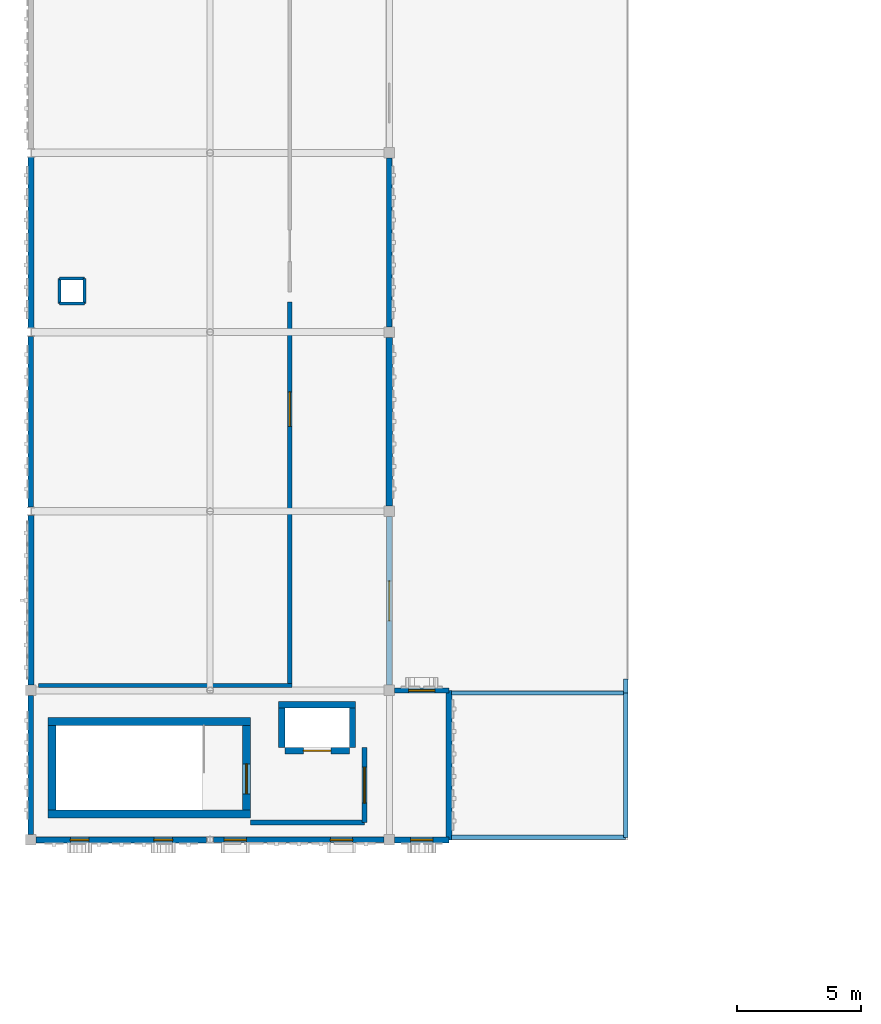
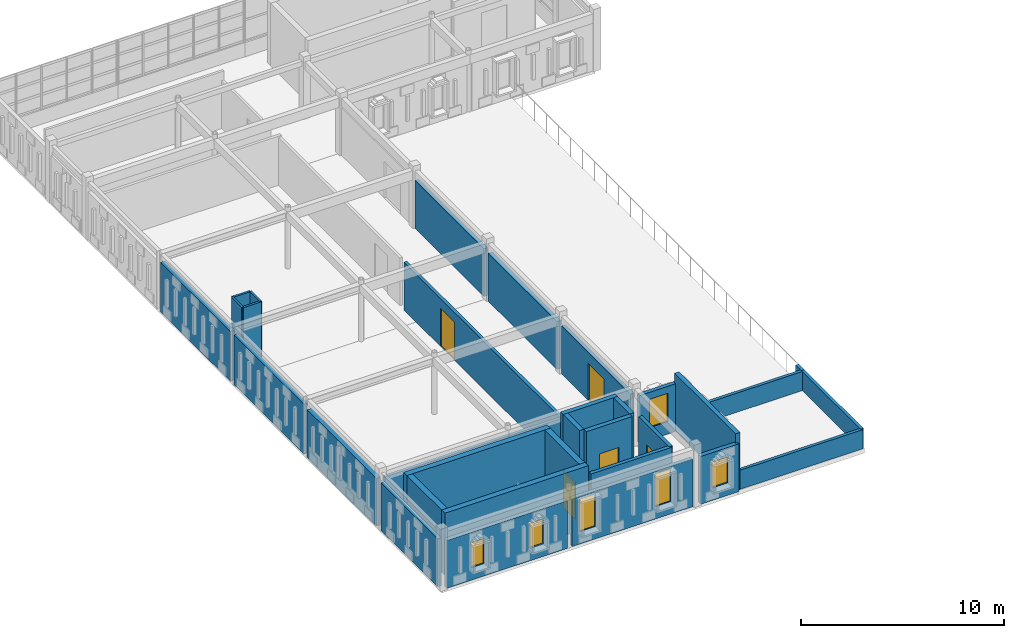
# One storey, part 25 of 46: 32 walls, 6 windows, 5 doors, 11 openings.
"""IFC4 building model written with IfcOpenShell, lengths in metres."""

from ifc_helpers import new_model, si_unit, direction, frame, frame_2d, origin, place, context, subcontext, project, spatial, rectangle, extrude, material, layer, layer_set, type_object, element, fill, save


model = new_model("IFC4")

# Units and contexts
model_context = context("Model", 3, precision=1e-05, world=origin(), true_north=direction((0.0, 1.0)))
body_context = subcontext(model_context, "Body", "Model", "MODEL_VIEW")
ifc_project = project(units=[si_unit("LENGTHUNIT", "METRE"), si_unit("AREAUNIT", "SQUARE_METRE"), si_unit("VOLUMEUNIT", "CUBIC_METRE"), si_unit("PLANEANGLEUNIT", "RADIAN"), si_unit("MASSUNIT", "GRAM", prefix="KILO")], contexts=[model_context])

# Site, building, storey
site_placement = place(None, origin())
site = spatial("IfcSite", under=ifc_project, at=site_placement, CompositionType="ELEMENT")
building_placement = place(site_placement, origin())
building = spatial("IfcBuilding", under=site, at=building_placement, Name="Nzembalo Square Collegiate School", CompositionType="ELEMENT")
storey_placement = place(building_placement, frame((0.0, 0.0, 17.340087890625)))
storey = spatial("IfcBuildingStorey", under=building, at=storey_placement, Name="L04", CompositionType="ELEMENT", Elevation=17.340087890625)

# Walls
ifc_material_1 = material(Name="Concrete C40/50", Category="concrete")
ifc_layer_1 = layer(ifc_material_1, 0.320068359375, Name="Concrete C40/50")
ifc_layer_set_1 = layer_set([ifc_layer_1], Name="Concrete C40/50")
wall_type_1 = type_object("IfcWallType", Name="SW01", PredefinedType="SHEAR", material=ifc_layer_set_1)
wall_1_placement = place(storey_placement, frame((9.239990234375, 45.60009765625, 0.0), z_axis=(0.0, 0.0, 1.0), x_axis=(0.0, 1.0, 0.0)))
element("IfcWall", 1, at=wall_1_placement, inside=storey, type_object=wall_type_1, Name="Core C1 stair shear wall W L04", PredefinedType="SHEAR", context=body_context, shape_type="SweptSolid", body=[
    extrude(rectangle(XDim=3.39990234375, YDim=0.320068359375, at=frame_2d((1.699951171875, 0.0))), origin(), (0.0, 0.0, 1.0), 3.739990234375),
])
for number, where, z_axis, x_axis, name in (
    (2, (9.080078125, 45.43994140625, 0.0), (0.0, 0.0, 1.0), (1.0, 0.0, 0.0), "Core C1 stair shear wall S L04"),
    (3, (9.080078125, 49.159912109375, 0.0), (0.0, 0.0, 1.0), (1.0, 0.0, 0.0), "Core C1 stair shear wall N L04"),
):
    element("IfcWall", number, at=place(storey_placement, frame(where, z_axis=z_axis, x_axis=x_axis)), inside=storey, type_object=wall_type_1, Name=name, PredefinedType="SHEAR", context=body_context, shape_type="SweptSolid", body=[
        extrude(rectangle(XDim=8.139892578125, YDim=0.320068359375, at=frame_2d((4.06982421875, 0.0))), origin(), (0.0, 0.0, 1.0), 3.739990234375),
    ])

# Wall, opening, door
wall_2_placement = place(storey_placement, frame((17.06005859375, 45.60009765625, 0.0), z_axis=(0.0, 0.0, 1.0), x_axis=(0.0, 1.0, 0.0)))
wall_2 = element("IfcWall", 4, at=wall_2_placement, inside=storey, type_object=wall_type_1, Name="Core C1 stair shear wall E L04", PredefinedType="SHEAR", context=body_context, shape_type="SweptSolid", body=[
    extrude(rectangle(XDim=3.39990234375, YDim=0.320068359375, at=frame_2d((1.699951171875, 0.0))), origin(), (0.0, 0.0, 1.0), 3.739990234375),
])
opening_1_placement = place(wall_2_placement, frame((0.64990234375, 0.0, 0.0)))
opening_1 = element("IfcOpeningElement", 5, at=opening_1_placement, cuts=wall_2, Name="Opening FD-011", PredefinedType="OPENING", context=body_context, shape_type="SweptSolid", body=[
    extrude(rectangle(XDim=1.199951171875, YDim=2.199951171875, at=frame_2d((0.60009765625, 1.10009765625))), frame((0.0, 0.169921875, 0.0), z_axis=(0.0, -1.0, 0.0), x_axis=(1.0, 0.0, 0.0)), (0.0, 0.0, 1.0), 0.340087890625),
])
ifc_material_2 = material(Name="Fire-rated steel acoustic door", Category="steel")
door_type_1 = type_object("IfcDoorType", Name="FD01", OperationType="NOTDEFINED", PredefinedType="DOOR", material=ifc_material_2)
door_1_placement = place(opening_1_placement, origin())
door_1 = element("IfcDoor", 6, at=door_1_placement, inside=storey, type_object=door_type_1, Name="Stair fire door FD-011", OperationType="SINGLE_SWING_LEFT", OverallHeight=2.199951171875, OverallWidth=1.199951171875, PredefinedType="DOOR", context=body_context, shape_type="SweptSolid", body=[
    extrude(rectangle(XDim=1.199951171875, YDim=2.199951171875, at=frame_2d((0.60009765625, 1.10009765625))), frame((0.0, 0.02490234375, 0.0), z_axis=(0.0, -1.0, 0.0), x_axis=(1.0, 0.0, 0.0)), (0.0, 0.0, 1.0), 0.050048828125),
])
fill(opening_1, door_1)

# Walls
ifc_material_3 = material(Name="Concrete C35/45", Category="concrete")
ifc_layer_2 = layer(ifc_material_3, 0.25, Name="Concrete C35/45")
ifc_layer_set_2 = layer_set([ifc_layer_2], Name="Concrete C35/45")
wall_type_2 = type_object("IfcWallType", Name="SW05", PredefinedType="SHEAR", material=ifc_layer_set_2)
for number, where, z_axis, x_axis, name in (
    (7, (18.47509765625, 48.10009765625, 0.0), (0.0, 0.0, 1.0), (0.0, 1.0, 0.0), "Lift LF1 shaft wall W L04"),
    (8, (21.324951171875, 48.10009765625, 0.0), (0.0, 0.0, 1.0), (0.0, 1.0, 0.0), "Lift LF1 shaft wall E L04"),
):
    element("IfcWall", number, at=place(storey_placement, frame(where, z_axis=z_axis, x_axis=x_axis)), inside=storey, type_object=wall_type_2, Name=name, PredefinedType="SHEAR", context=body_context, shape_type="SweptSolid", body=[
        extrude(rectangle(XDim=1.599853515625, YDim=0.25, at=frame_2d((0.7998046875, 0.0))), origin(), (0.0, 0.0, 1.0), 3.739990234375),
    ])
wall_3_placement = place(storey_placement, frame((18.35009765625, 49.824951171875, 0.0), z_axis=(0.0, 0.0, 1.0), x_axis=(1.0, 0.0, 0.0)))
element("IfcWall", 9, at=wall_3_placement, inside=storey, type_object=wall_type_2, Name="Lift LF1 shaft wall N L04", PredefinedType="SHEAR", context=body_context, shape_type="SweptSolid", body=[
    extrude(rectangle(XDim=3.099853515625, YDim=0.25, at=frame_2d((1.5498046875, 0.0))), origin(), (0.0, 0.0, 1.0), 3.739990234375),
])

# Wall, opening, door
wall_4_placement = place(storey_placement, frame((18.60009765625, 47.97509765625, 0.0), z_axis=(0.0, 0.0, 1.0), x_axis=(1.0, 0.0, 0.0)))
wall_4 = element("IfcWall", 10, at=wall_4_placement, inside=storey, type_object=wall_type_2, Name="Lift LF1 landing front wall L04", PredefinedType="SHEAR", context=body_context, shape_type="SweptSolid", body=[
    extrude(rectangle(XDim=2.599853515625, YDim=0.25, at=frame_2d((1.2998046875, 0.0))), origin(), (0.0, 0.0, 1.0), 3.739990234375),
])
opening_2_placement = place(wall_4_placement, frame((0.75, 0.0, 0.0)))
opening_2 = element("IfcOpeningElement", 11, at=opening_2_placement, cuts=wall_4, Name="Opening LD-LF1-L04", PredefinedType="OPENING", context=body_context, shape_type="SweptSolid", body=[
    extrude(rectangle(XDim=1.10009765625, YDim=2.14990234375, at=frame_2d((0.550048828125, 1.074951171875))), frame((0.0, 0.135009765625, 0.0), z_axis=(0.0, -1.0, 0.0), x_axis=(1.0, 0.0, 0.0)), (0.0, 0.0, 1.0), 0.27001953125),
])
ifc_material_4 = material(Name="Stainless-steel sliding landing door", Category="steel")
door_type_2 = type_object("IfcDoorType", Name="LD01", OperationType="DOUBLE_DOOR_SLIDING", PredefinedType="DOOR", material=ifc_material_4)
door_2_placement = place(opening_2_placement, origin())
door_2 = element("IfcDoor", 12, at=door_2_placement, inside=storey, type_object=door_type_2, Name="Sliding lift landing door LD-LF1-L04", OperationType="DOUBLE_DOOR_SLIDING", OverallHeight=2.14990234375, OverallWidth=1.10009765625, PredefinedType="DOOR", context=body_context, shape_type="SweptSolid", body=[
    extrude(rectangle(XDim=1.10009765625, YDim=2.14990234375, at=frame_2d((0.550048828125, 1.074951171875))), frame((0.0, 0.02490234375, 0.0), z_axis=(0.0, -1.0, 0.0), x_axis=(1.0, 0.0, 0.0)), (0.0, 0.0, 1.0), 0.050048828125),
])
fill(opening_2, door_2)

# Wall, openings, windows
ifc_material_5 = material(Name="CLT CL24", Category="wood")
ifc_layer_3 = layer(ifc_material_5, 0.2451171875, Name="CLT CL24")
ifc_layer_set_3 = layer_set([ifc_layer_3], Name="CLT CL24")
wall_type_3 = type_object("IfcWallType", Name="W07", PredefinedType="SOLIDWALL", material=ifc_layer_set_3)
wall_5_placement = place(storey_placement, frame((8.612060546875, 44.39990234375, 0.0), z_axis=(0.0, 0.0, 1.0), x_axis=(1.0, 0.0, 0.0)))
wall_5 = element("IfcWall", 13, at=wall_5_placement, inside=storey, type_object=wall_type_3, Name="Exterior wall W07 L04", PredefinedType="SOLIDWALL", context=body_context, shape_type="SweptSolid", body=[
    extrude(rectangle(XDim=6.849365234375, YDim=0.2451171875, at=frame_2d((3.4248046875, 0.0))), origin(), (0.0, 0.0, 1.0), 2.868896484375),
])
opening_3_placement = place(wall_5_placement, frame((1.369873046875, 0.0, 0.75)))
opening_3 = element("IfcOpeningElement", 14, at=opening_3_placement, cuts=wall_5, Name="Opening WN-L04-966", PredefinedType="OPENING", context=body_context, shape_type="SweptSolid", body=[
    extrude(rectangle(XDim=0.75, YDim=1.5, at=frame_2d((0.375, 0.75))), frame((0.0, 0.132568359375, 0.0), z_axis=(0.0, -1.0, 0.0), x_axis=(1.0, 0.0, 0.0)), (0.0, 0.0, 1.0), 0.26513671875),
])
opening_4_placement = place(wall_5_placement, frame((4.7294921875, 0.0, 0.75)))
opening_4 = element("IfcOpeningElement", 15, at=opening_4_placement, cuts=wall_5, Name="Opening WN-L04-967", PredefinedType="OPENING", context=body_context, shape_type="SweptSolid", body=[
    extrude(rectangle(XDim=0.75, YDim=1.5, at=frame_2d((0.375, 0.75))), frame((0.0, 0.132568359375, 0.0), z_axis=(0.0, -1.0, 0.0), x_axis=(1.0, 0.0, 0.0)), (0.0, 0.0, 1.0), 0.26513671875),
])
ifc_material_6 = material(Name="Powder-coated aluminium and low-E double glazing", Category="aluminium")
window_type_1 = type_object("IfcWindowType", Name="WN05", PartitioningType="SINGLE_PANEL", PredefinedType="WINDOW", material=ifc_material_6)
window_1_placement = place(opening_3_placement, origin())
window_1 = element("IfcWindow", 16, at=window_1_placement, inside=storey, type_object=window_type_1, Name="Lancet window WN-L04-966", OverallHeight=1.5, OverallWidth=0.75, PartitioningType="SINGLE_PANEL", PredefinedType="WINDOW", context=body_context, shape_type="SweptSolid", body=[
    extrude(rectangle(XDim=0.75, YDim=1.5, at=frame_2d((0.375, 0.75))), frame((0.0, 0.030029296875, 0.0), z_axis=(0.0, -1.0, 0.0), x_axis=(1.0, 0.0, 0.0)), (0.0, 0.0, 1.0), 0.06005859375),
])
fill(opening_3, window_1)
window_2_placement = place(opening_4_placement, origin())
window_2 = element("IfcWindow", 17, at=window_2_placement, inside=storey, type_object=window_type_1, Name="Lancet window WN-L04-967", OverallHeight=1.5, OverallWidth=0.75, PartitioningType="SINGLE_PANEL", PredefinedType="WINDOW", context=body_context, shape_type="SweptSolid", body=[
    extrude(rectangle(XDim=0.75, YDim=1.5, at=frame_2d((0.375, 0.75))), frame((0.0, 0.030029296875, 0.0), z_axis=(0.0, -1.0, 0.0), x_axis=(1.0, 0.0, 0.0)), (0.0, 0.0, 1.0), 0.06005859375),
])
fill(opening_4, window_2)

# Wall, opening, window
wall_6_placement = place(storey_placement, frame((23.011962890625, 44.39990234375, 0.0), z_axis=(0.0, 0.0, 1.0), x_axis=(1.0, 0.0, 0.0)))
wall_6 = element("IfcWall", 18, at=wall_6_placement, inside=storey, type_object=wall_type_3, Name="Exterior wall W07 L04", PredefinedType="SOLIDWALL", context=body_context, shape_type="SweptSolid", body=[
    extrude(rectangle(XDim=2.18798828125, YDim=0.2451171875, at=frame_2d((1.093994140625, 0.0))), origin(), (0.0, 0.0, 1.0), 2.868896484375),
])
opening_5_placement = place(wall_6_placement, frame((0.64404296875, 0.0, 0.75)))
opening_5 = element("IfcOpeningElement", 19, at=opening_5_placement, cuts=wall_6, Name="Opening WN-L04-971", PredefinedType="OPENING", context=body_context, shape_type="SweptSolid", body=[
    extrude(rectangle(XDim=0.89990234375, YDim=1.550048828125, at=frame_2d((0.449951171875, 0.77490234375))), frame((0.0, 0.132568359375, 0.0), z_axis=(0.0, -1.0, 0.0), x_axis=(1.0, 0.0, 0.0)), (0.0, 0.0, 1.0), 0.26513671875),
])
ifc_material_7 = material(Name="Powder-coated aluminium and low-E double glazing", Category="aluminium")
window_type_2 = type_object("IfcWindowType", Name="WN10", PartitioningType="SINGLE_PANEL", PredefinedType="WINDOW", material=ifc_material_7)
window_3_placement = place(opening_5_placement, origin())
window_3 = element("IfcWindow", 20, at=window_3_placement, inside=storey, type_object=window_type_2, Name="Lancet window WN-L04-971", OverallHeight=1.550048828125, OverallWidth=0.89990234375, PartitioningType="SINGLE_PANEL", PredefinedType="WINDOW", context=body_context, shape_type="SweptSolid", body=[
    extrude(rectangle(XDim=0.89990234375, YDim=1.550048828125, at=frame_2d((0.449951171875, 0.77490234375))), frame((0.0, 0.030029296875, 0.0), z_axis=(0.0, -1.0, 0.0), x_axis=(1.0, 0.0, 0.0)), (0.0, 0.0, 1.0), 0.06005859375),
])
fill(opening_5, window_3)

# Walls
wall_7_placement = place(storey_placement, frame((8.39990234375, 50.612060546875, 0.0), z_axis=(0.0, 0.0, 1.0), x_axis=(0.0, 1.0, 0.0)))
element("IfcWall", 21, at=wall_7_placement, inside=storey, type_object=wall_type_3, Name="Exterior wall W07 L04", PredefinedType="SOLIDWALL", context=body_context, shape_type="SweptSolid", body=[
    extrude(rectangle(XDim=6.81591796875, YDim=0.2451171875, at=frame_2d((3.407958984375, 0.0))), origin(), (0.0, 0.0, 1.0), 2.868896484375),
])
wall_8_placement = place(storey_placement, frame((8.39990234375, 64.971923828125, 0.0), z_axis=(0.0, 0.0, 1.0), x_axis=(0.0, 1.0, 0.0)))
element("IfcWall", 22, at=wall_8_placement, inside=storey, type_object=wall_type_3, Name="Exterior wall W07 L04", PredefinedType="SOLIDWALL", context=body_context, shape_type="SweptSolid", body=[
    extrude(rectangle(XDim=6.85595703125, YDim=0.2451171875, at=frame_2d((3.427978515625, 0.0))), origin(), (0.0, 0.0, 1.0), 2.97900390625),
])
wall_9_placement = place(storey_placement, frame((22.800048828125, 57.81201171875, 0.0), z_axis=(0.0, 0.0, 1.0), x_axis=(0.0, 1.0, 0.0)))
element("IfcWall", 23, at=wall_9_placement, inside=storey, type_object=wall_type_3, Name="Exterior wall W07 L04", PredefinedType="SOLIDWALL", context=body_context, shape_type="SweptSolid", body=[
    extrude(rectangle(XDim=6.77587890625, YDim=0.2451171875, at=frame_2d((3.387939453125, 0.0))), origin(), (0.0, 0.0, 1.0), 2.868896484375),
])
wall_10_placement = place(storey_placement, frame((25.199951171875, 44.39990234375, 0.0), z_axis=(0.0, 0.0, 1.0), x_axis=(0.0, 1.0, 0.0)))
element("IfcWall", 24, at=wall_10_placement, inside=storey, type_object=wall_type_3, Name="Exterior wall W07 L04", PredefinedType="SOLIDWALL", context=body_context, shape_type="SweptSolid", body=[
    extrude(rectangle(XDim=6.0, YDim=0.2451171875, at=frame_2d((3.0, 0.0))), origin(), (0.0, 0.0, 1.0), 3.433837890625),
])

# Wall, openings, windows
ifc_material_8 = material(Name="CLT CL24", Category="wood")
ifc_layer_4 = layer(ifc_material_8, 0.215087890625, Name="CLT CL24")
ifc_layer_set_4 = layer_set([ifc_layer_4], Name="CLT CL24")
wall_type_4 = type_object("IfcWallType", Name="W08", PredefinedType="SOLIDWALL", material=ifc_layer_set_4)
wall_11_placement = place(storey_placement, frame((15.738525390625, 44.39990234375, 0.0), z_axis=(0.0, 0.0, 1.0), x_axis=(1.0, 0.0, 0.0)))
wall_11 = element("IfcWall", 25, at=wall_11_placement, inside=storey, type_object=wall_type_4, Name="Exterior wall W08 L04", PredefinedType="SOLIDWALL", context=body_context, shape_type="SweptSolid", body=[
    extrude(rectangle(XDim=6.849365234375, YDim=0.215087890625, at=frame_2d((3.4248046875, 0.0))), origin(), (0.0, 0.0, 1.0), 2.868896484375),
])
opening_6_placement = place(wall_11_placement, frame((0.42138671875, 0.0, 0.75)))
opening_6 = element("IfcOpeningElement", 26, at=opening_6_placement, cuts=wall_11, Name="Opening WN-L04-969", PredefinedType="OPENING", context=body_context, shape_type="SweptSolid", body=[
    extrude(rectangle(XDim=0.89990234375, YDim=1.949951171875, at=frame_2d((0.449951171875, 0.97509765625))), frame((0.0, 0.11767578125, 0.0), z_axis=(0.0, -1.0, 0.0), x_axis=(1.0, 0.0, 0.0)), (0.0, 0.0, 1.0), 0.235107421875),
])
opening_7_placement = place(wall_11_placement, frame((4.692138671875, 0.0, 0.75)))
opening_7 = element("IfcOpeningElement", 27, at=opening_7_placement, cuts=wall_11, Name="Opening WN-L04-970", PredefinedType="OPENING", context=body_context, shape_type="SweptSolid", body=[
    extrude(rectangle(XDim=0.89990234375, YDim=1.949951171875, at=frame_2d((0.449951171875, 0.97509765625))), frame((0.0, 0.11767578125, 0.0), z_axis=(0.0, -1.0, 0.0), x_axis=(1.0, 0.0, 0.0)), (0.0, 0.0, 1.0), 0.235107421875),
])
ifc_material_9 = material(Name="Powder-coated aluminium and low-E double glazing", Category="aluminium")
window_type_3 = type_object("IfcWindowType", Name="WN08", PartitioningType="SINGLE_PANEL", PredefinedType="WINDOW", material=ifc_material_9)
window_4_placement = place(opening_6_placement, origin())
window_4 = element("IfcWindow", 28, at=window_4_placement, inside=storey, type_object=window_type_3, Name="Lancet window WN-L04-969", OverallHeight=1.949951171875, OverallWidth=0.89990234375, PartitioningType="SINGLE_PANEL", PredefinedType="WINDOW", context=body_context, shape_type="SweptSolid", body=[
    extrude(rectangle(XDim=0.89990234375, YDim=1.949951171875, at=frame_2d((0.449951171875, 0.97509765625))), frame((0.0, 0.030029296875, 0.0), z_axis=(0.0, -1.0, 0.0), x_axis=(1.0, 0.0, 0.0)), (0.0, 0.0, 1.0), 0.06005859375),
])
fill(opening_6, window_4)
window_5_placement = place(opening_7_placement, origin())
window_5 = element("IfcWindow", 29, at=window_5_placement, inside=storey, type_object=window_type_3, Name="Lancet window WN-L04-970", OverallHeight=1.949951171875, OverallWidth=0.89990234375, PartitioningType="SINGLE_PANEL", PredefinedType="WINDOW", context=body_context, shape_type="SweptSolid", body=[
    extrude(rectangle(XDim=0.89990234375, YDim=1.949951171875, at=frame_2d((0.449951171875, 0.97509765625))), frame((0.0, 0.030029296875, 0.0), z_axis=(0.0, -1.0, 0.0), x_axis=(1.0, 0.0, 0.0)), (0.0, 0.0, 1.0), 0.06005859375),
])
fill(opening_7, window_5)

# Walls
wall_12_placement = place(storey_placement, frame((8.39990234375, 44.612060546875, 0.0), z_axis=(0.0, 0.0, 1.0), x_axis=(0.0, 1.0, 0.0)))
element("IfcWall", 30, at=wall_12_placement, inside=storey, type_object=wall_type_4, Name="Exterior wall W08 L04", PredefinedType="SOLIDWALL", context=body_context, shape_type="SweptSolid", body=[
    extrude(rectangle(XDim=5.575927734375, YDim=0.215087890625, at=frame_2d((2.7880859375, 0.0))), origin(), (0.0, 0.0, 1.0), 2.868896484375),
])
wall_13_placement = place(storey_placement, frame((8.39990234375, 57.77197265625, 0.0), z_axis=(0.0, 0.0, 1.0), x_axis=(0.0, 1.0, 0.0)))
element("IfcWall", 31, at=wall_13_placement, inside=storey, type_object=wall_type_4, Name="Exterior wall W08 L04", PredefinedType="SOLIDWALL", context=body_context, shape_type="SweptSolid", body=[
    extrude(rectangle(XDim=6.85595703125, YDim=0.215087890625, at=frame_2d((3.427978515625, 0.0))), origin(), (0.0, 0.0, 1.0), 2.97900390625),
])

# Wall, opening, door
wall_14_placement = place(storey_placement, frame((22.800048828125, 50.612060546875, 0.0), z_axis=(0.0, 0.0, 1.0), x_axis=(0.0, 1.0, 0.0)))
wall_14 = element("IfcWall", 32, at=wall_14_placement, inside=storey, type_object=wall_type_4, Name="Exterior wall W08 L04", PredefinedType="SOLIDWALL", context=body_context, shape_type="SweptSolid", body=[
    extrude(rectangle(XDim=6.77587890625, YDim=0.215087890625, at=frame_2d((3.387939453125, 0.0))), origin(), (0.0, 0.0, 1.0), 2.868896484375),
])
opening_8_placement = place(wall_14_placement, frame((2.587890625, 0.0, 0.0)))
opening_8 = element("IfcOpeningElement", 33, at=opening_8_placement, cuts=wall_14, Name="Opening TD-401", PredefinedType="OPENING", context=body_context, shape_type="SweptSolid", body=[
    extrude(rectangle(XDim=1.60009765625, YDim=2.199951171875, at=frame_2d((0.800048828125, 1.10009765625))), frame((0.0, 0.11767578125, 0.0), z_axis=(0.0, -1.0, 0.0), x_axis=(1.0, 0.0, 0.0)), (0.0, 0.0, 1.0), 0.235107421875),
])
ifc_material_10 = material(Name="Powder-coated steel and safety glass", Category="steel")
door_type_3 = type_object("IfcDoorType", Name="TD01", OperationType="DOUBLE_DOOR_SINGLE_SWING", PredefinedType="DOOR", material=ifc_material_10)
door_3_placement = place(opening_8_placement, frame((1.60009765625, 0.0, 0.0), z_axis=(0.0, 0.0, 1.0), x_axis=(-1.0, 0.0, 0.0)))
door_3 = element("IfcDoor", 34, at=door_3_placement, inside=storey, type_object=door_type_3, Name="Exterior door TD-401", OperationType="DOUBLE_DOOR_SINGLE_SWING", OverallHeight=2.199951171875, OverallWidth=1.60009765625, PredefinedType="DOOR", context=body_context, shape_type="SweptSolid", body=[
    extrude(rectangle(XDim=1.60009765625, YDim=2.199951171875, at=frame_2d((0.800048828125, 1.10009765625))), frame((0.0, 0.02490234375, 0.0), z_axis=(0.0, -1.0, 0.0), x_axis=(1.0, 0.0, 0.0)), (0.0, 0.0, 1.0), 0.050048828125),
])
fill(opening_8, door_3)

# Wall
wall_15_placement = place(storey_placement, frame((22.800048828125, 65.011962890625, 0.0), z_axis=(0.0, 0.0, 1.0), x_axis=(0.0, 1.0, 0.0)))
element("IfcWall", 35, at=wall_15_placement, inside=storey, type_object=wall_type_4, Name="Exterior wall W08 L04", PredefinedType="SOLIDWALL", context=body_context, shape_type="SweptSolid", body=[
    extrude(rectangle(XDim=6.776123046875, YDim=0.215087890625, at=frame_2d((3.38818359375, 0.0))), origin(), (0.0, 0.0, 1.0), 2.868896484375),
])

# Wall, opening, window
wall_16_placement = place(storey_placement, frame((23.011962890625, 50.39990234375, 0.0), z_axis=(0.0, 0.0, 1.0), x_axis=(1.0, 0.0, 0.0)))
wall_16 = element("IfcWall", 36, at=wall_16_placement, inside=storey, type_object=wall_type_4, Name="Exterior wall W08 L04", PredefinedType="SOLIDWALL", context=body_context, shape_type="SweptSolid", body=[
    extrude(rectangle(XDim=2.18798828125, YDim=0.215087890625, at=frame_2d((1.093994140625, 0.0))), origin(), (0.0, 0.0, 1.0), 2.868896484375),
])
opening_9_placement = place(wall_16_placement, frame((0.569091796875, 0.0, 0.75)))
opening_9 = element("IfcOpeningElement", 37, at=opening_9_placement, cuts=wall_16, Name="Opening WN-L04-1049", PredefinedType="OPENING", context=body_context, shape_type="SweptSolid", body=[
    extrude(rectangle(XDim=1.050048828125, YDim=1.699951171875, at=frame_2d((0.52490234375, 0.85009765625))), frame((0.0, 0.11767578125, 0.0), z_axis=(0.0, -1.0, 0.0), x_axis=(1.0, 0.0, 0.0)), (0.0, 0.0, 1.0), 0.235107421875),
])
ifc_material_11 = material(Name="Powder-coated aluminium and low-E double glazing", Category="aluminium")
window_type_4 = type_object("IfcWindowType", Name="WN14", PartitioningType="SINGLE_PANEL", PredefinedType="WINDOW", material=ifc_material_11)
window_6_placement = place(opening_9_placement, origin())
window_6 = element("IfcWindow", 38, at=window_6_placement, inside=storey, type_object=window_type_4, Name="Lancet window WN-L04-1049", OverallHeight=1.699951171875, OverallWidth=1.050048828125, PartitioningType="SINGLE_PANEL", PredefinedType="WINDOW", context=body_context, shape_type="SweptSolid", body=[
    extrude(rectangle(XDim=1.050048828125, YDim=1.699951171875, at=frame_2d((0.52490234375, 0.85009765625))), frame((0.0, 0.030029296875, 0.0), z_axis=(0.0, -1.0, 0.0), x_axis=(1.0, 0.0, 0.0)), (0.0, 0.0, 1.0), 0.06005859375),
])
fill(opening_9, window_6)

# Wall, opening, door
ifc_material_12 = material(Name="Concrete blockwork C25/30", Category="masonry")
ifc_layer_5 = layer(ifc_material_12, 0.199951171875, Name="Concrete blockwork C25/30")
ifc_layer_set_5 = layer_set([ifc_layer_5], Name="Concrete blockwork C25/30")
wall_type_5 = type_object("IfcWallType", Name="W11", PredefinedType="PARTITIONING", material=ifc_layer_set_5)
wall_17_placement = place(storey_placement, frame((21.800048828125, 45.10009765625, 0.0), z_axis=(0.0, 0.0, 1.0), x_axis=(0.0, 1.0, 0.0)))
wall_17 = element("IfcWall", 39, at=wall_17_placement, inside=storey, type_object=wall_type_5, Name="Core C1 EI 60 lobby wall E L04", PredefinedType="PARTITIONING", context=body_context, shape_type="SweptSolid", body=[
    extrude(rectangle(XDim=3.0, YDim=0.199951171875, at=frame_2d((1.5, 0.0))), origin(), (0.0, 0.0, 1.0), 3.413818359375),
])
opening_10_placement = place(wall_17_placement, frame((0.77490234375, 0.0, 0.0)))
opening_10 = element("IfcOpeningElement", 40, at=opening_10_placement, cuts=wall_17, Name="Opening FD-012", PredefinedType="OPENING", context=body_context, shape_type="SweptSolid", body=[
    extrude(rectangle(XDim=1.449951171875, YDim=2.199951171875, at=frame_2d((0.72509765625, 1.10009765625))), frame((0.0, 0.10986328125, 0.0), z_axis=(0.0, -1.0, 0.0), x_axis=(1.0, 0.0, 0.0)), (0.0, 0.0, 1.0), 0.219970703125),
])
ifc_material_13 = material(Name="Fire-rated double lobby door")
door_type_4 = type_object("IfcDoorType", Name="FD02", OperationType="DOUBLE_DOOR_SINGLE_SWING", PredefinedType="DOOR", material=ifc_material_13)
door_4_placement = place(opening_10_placement, frame((1.449951171875, 0.0, 0.0), z_axis=(0.0, 0.0, 1.0), x_axis=(-1.0, 0.0, 0.0)))
door_4 = element("IfcDoor", 41, at=door_4_placement, inside=storey, type_object=door_type_4, Name="Protected lobby fire door FD-012", OperationType="DOUBLE_DOOR_SINGLE_SWING", OverallHeight=2.199951171875, OverallWidth=1.449951171875, PredefinedType="DOOR", context=body_context, shape_type="SweptSolid", body=[
    extrude(rectangle(XDim=1.449951171875, YDim=2.199951171875, at=frame_2d((0.72509765625, 1.10009765625))), frame((0.0, 0.02490234375, 0.0), z_axis=(0.0, -1.0, 0.0), x_axis=(1.0, 0.0, 0.0)), (0.0, 0.0, 1.0), 0.050048828125),
])
fill(opening_10, door_4)

# Walls
wall_18_placement = place(storey_placement, frame((17.219970703125, 45.10009765625, 0.0), z_axis=(0.0, 0.0, 1.0), x_axis=(1.0, 0.0, 0.0)))
element("IfcWall", 42, at=wall_18_placement, inside=storey, type_object=wall_type_5, Name="Core C1 EI 60 lobby wall S L04", PredefinedType="PARTITIONING", context=body_context, shape_type="SweptSolid", body=[
    extrude(rectangle(XDim=4.580078125, YDim=0.199951171875, at=frame_2d((2.2900390625, 0.0))), origin(), (0.0, 0.0, 1.0), 3.413818359375),
])
ifc_material_14 = material(Name="Acoustic gypsum and steel stud", Category="steel")
ifc_layer_6 = layer(ifc_material_14, 0.175048828125, Name="Acoustic gypsum and steel stud")
ifc_layer_set_6 = layer_set([ifc_layer_6], Name="Acoustic gypsum and steel stud")
wall_type_6 = type_object("IfcWallType", Name="W14", PredefinedType="PARTITIONING", material=ifc_layer_set_6)
wall_19_placement = place(storey_placement, frame((8.71240234375, 50.60009765625, 0.0), z_axis=(0.0, 0.0, 1.0), x_axis=(1.0, 0.0, 0.0)))
element("IfcWall", 43, at=wall_19_placement, inside=storey, type_object=wall_type_6, Name="Interior partition W14 L04-017-S", PredefinedType="PARTITIONING", context=body_context, shape_type="SweptSolid", body=[
    extrude(rectangle(XDim=10.175048828125, YDim=0.175048828125, at=frame_2d((5.08740234375, 0.0))), origin(), (0.0, 0.0, 1.0), 2.868896484375),
])

# Wall, opening, door
wall_20_placement = place(storey_placement, frame((18.800048828125, 50.60009765625, 0.0), z_axis=(0.0, 0.0, 1.0), x_axis=(0.0, 1.0, 0.0)))
wall_20 = element("IfcWall", 44, at=wall_20_placement, inside=storey, type_object=wall_type_6, Name="Interior partition W14 L04-017-E", PredefinedType="PARTITIONING", context=body_context, shape_type="SweptSolid", body=[
    extrude(rectangle(XDim=15.39990234375, YDim=0.175048828125, at=frame_2d((7.699951171875, 0.0))), origin(), (0.0, 0.0, 1.0), 2.868896484375),
])
opening_11_placement = place(wall_20_placement, frame((10.4150390625, 0.0, 0.0)))
opening_11 = element("IfcOpeningElement", 45, at=opening_11_placement, cuts=wall_20, Name="Opening D-L04-094", PredefinedType="OPENING", context=body_context, shape_type="SweptSolid", body=[
    extrude(rectangle(XDim=1.3798828125, YDim=2.280029296875, at=frame_2d((0.68994140625, 1.14013671875))), frame((0.0, 0.09765625, 0.0), z_axis=(0.0, -1.0, 0.0), x_axis=(1.0, 0.0, 0.0)), (0.0, 0.0, 1.0), 0.195068359375),
])
ifc_material_15 = material(Name="Wide art studio double door")
door_type_5 = type_object("IfcDoorType", Name="D21", OperationType="DOUBLE_DOOR_SINGLE_SWING", PredefinedType="DOOR", material=ifc_material_15)
door_5_placement = place(opening_11_placement, origin())
door_5 = element("IfcDoor", 46, at=door_5_placement, inside=storey, type_object=door_type_5, Name="Interior door D-L04-094 (Fine Art and Sculpture Daylight Studio)", OperationType="DOUBLE_DOOR_SINGLE_SWING", OverallHeight=2.280029296875, OverallWidth=1.3798828125, PredefinedType="DOOR", context=body_context, shape_type="SweptSolid", body=[
    extrude(rectangle(XDim=1.3798828125, YDim=2.280029296875, at=frame_2d((0.68994140625, 1.14013671875))), frame((0.0, 0.02490234375, 0.0), z_axis=(0.0, -1.0, 0.0), x_axis=(1.0, 0.0, 0.0)), (0.0, 0.0, 1.0), 0.050048828125),
])
fill(opening_11, door_5)

# Walls
ifc_material_16 = material(Name="Fire-rated shaftwall stud")
ifc_layer_7 = layer(ifc_material_16, 0.1201171875, Name="Fire-rated shaftwall stud")
ifc_layer_set_7 = layer_set([ifc_layer_7], Name="Fire-rated shaftwall stud")
wall_type_7 = type_object("IfcWallType", Name="W23", PredefinedType="PARTITIONING", material=ifc_layer_set_7)
for number, where, z_axis, x_axis, name in (
    (47, (9.5400390625, 65.93994140625, 0.0), (0.0, 0.0, 1.0), (1.0, 0.0, 0.0), "Service riser shaftwall W23-022-1"),
    (48, (10.56005859375, 65.93994140625, 0.0), (0.0, 0.0, 1.0), (0.0, 1.0, 0.0), "Service riser shaftwall W23-022-2"),
    (49, (10.56005859375, 66.9599609375, 0.0), (0.0, 0.0, 1.0), (-1.0, 0.0, 0.0), "Service riser shaftwall W23-022-3"),
    (50, (9.5400390625, 66.9599609375, 0.0), (0.0, 0.0, 1.0), (0.0, -1.0, 0.0), "Service riser shaftwall W23-022-4"),
):
    element("IfcWall", number, at=place(storey_placement, frame(where, z_axis=z_axis, x_axis=x_axis)), inside=storey, type_object=wall_type_7, Name=name, PredefinedType="PARTITIONING", context=body_context, shape_type="SweptSolid", body=[
        extrude(rectangle(XDim=1.02001953125, YDim=0.1201171875, at=frame_2d((0.510009765625, 0.0))), origin(), (0.0, 0.0, 1.0), 3.413818359375),
    ])
ifc_material_17 = material(Name="Concrete C30/37", Category="concrete")
ifc_layer_8 = layer(ifc_material_17, 0.169921875, Name="Concrete C30/37")
ifc_layer_set_8 = layer_set([ifc_layer_8], Name="Concrete C30/37")
wall_type_8 = type_object("IfcWallType", Name="WP03", PredefinedType="PARAPET", material=ifc_layer_set_8)
wall_21_placement = place(storey_placement, frame((25.300048828125, 44.5, 0.0), z_axis=(0.0, 0.0, 1.0), x_axis=(1.0, 0.0, 0.0)))
element("IfcWall", 51, at=wall_21_placement, inside=storey, type_object=wall_type_8, Name="Roof parapet WP03-22", PredefinedType="PARAPET", context=body_context, shape_type="SweptSolid", body=[
    extrude(rectangle(XDim=7.0, YDim=0.169921875, at=frame_2d((3.5, 0.0))), origin(), (0.0, 0.0, 1.0), 1.14990234375),
])
wall_22_placement = place(storey_placement, frame((32.300048828125, 44.5, 0.0), z_axis=(0.0, 0.0, 1.0), x_axis=(0.0, 1.0, 0.0)))
element("IfcWall", 52, at=wall_22_placement, inside=storey, type_object=wall_type_8, Name="Roof parapet WP03-23", PredefinedType="PARAPET", context=body_context, shape_type="SweptSolid", body=[
    extrude(rectangle(XDim=5.800048828125, YDim=0.169921875, at=frame_2d((2.89990234375, 0.0))), origin(), (0.0, 0.0, 1.0), 1.14990234375),
])
wall_23_placement = place(storey_placement, frame((32.300048828125, 50.300048828125, 0.0), z_axis=(0.0, 0.0, 1.0), x_axis=(-1.0, 0.0, 0.0)))
element("IfcWall", 53, at=wall_23_placement, inside=storey, type_object=wall_type_8, Name="Roof parapet WP03-24", PredefinedType="PARAPET", context=body_context, shape_type="SweptSolid", body=[
    extrude(rectangle(XDim=7.0, YDim=0.169921875, at=frame_2d((3.5, 0.0))), origin(), (0.0, 0.0, 1.0), 1.14990234375),
])
wall_24_placement = place(storey_placement, frame((32.300048828125, 50.300048828125, 0.0), z_axis=(0.0, 0.0, 1.0), x_axis=(0.0, 1.0, 0.0)))
element("IfcWall", 54, at=wall_24_placement, inside=storey, type_object=wall_type_8, Name="Roof parapet WP03-36", PredefinedType="PARAPET", context=body_context, shape_type="SweptSolid", body=[
    extrude(rectangle(XDim=0.56005859375, YDim=0.169921875, at=frame_2d((0.280029296875, 0.0))), origin(), (0.0, 0.0, 1.0), 1.14990234375),
])

save(model, "model.ifc")
